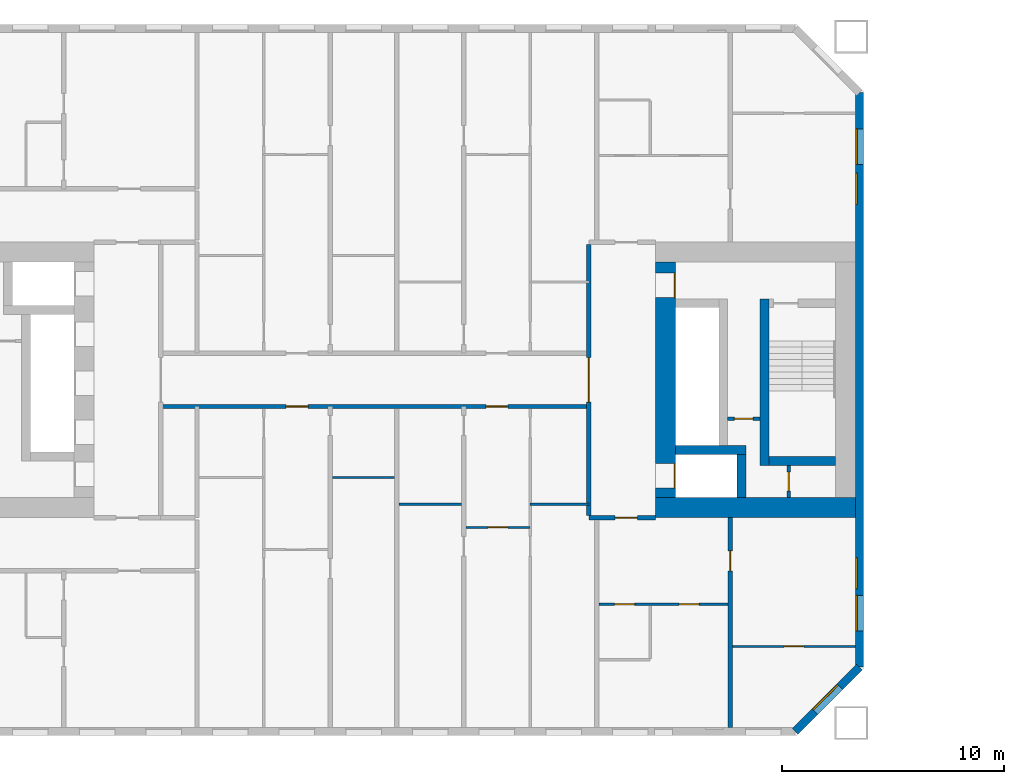
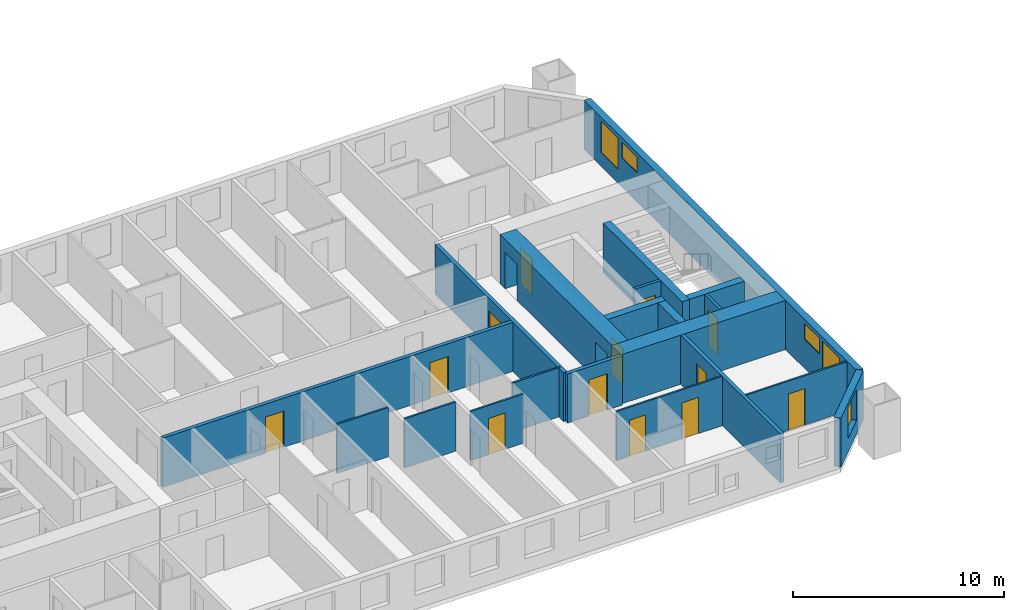
# One storey, part 7 of 17: 20 walls, 13 doors, 5 windows, 18 openings.
"""IFC4 building model written with IfcOpenShell, lengths in metres."""

from ifc_helpers import new_model, si_unit, direction, frame, frame_2d, origin, place, context, subcontext, project, spatial, rectangle, extrude, material, layer, layer_set, type_object, element, fill, save


model = new_model("IFC4")

# Units and contexts
model_context = context("Model", 3, precision=1e-05, world=origin(), true_north=direction((0.0, 1.0)))
body_context = subcontext(model_context, "Body", "Model", "MODEL_VIEW")
ifc_project = project(units=[si_unit("LENGTHUNIT", "METRE"), si_unit("AREAUNIT", "SQUARE_METRE"), si_unit("VOLUMEUNIT", "CUBIC_METRE"), si_unit("PLANEANGLEUNIT", "RADIAN"), si_unit("MASSUNIT", "GRAM", prefix="KILO")], contexts=[model_context])

# Site, building, storey
site_placement = place(None, origin())
site = spatial("IfcSite", under=ifc_project, at=site_placement, CompositionType="ELEMENT")
building_placement = place(site_placement, origin())
building = spatial("IfcBuilding", under=site, at=building_placement, Name="Tuart Gate Housing", CompositionType="ELEMENT")
storey_placement = place(building_placement, frame((0.0, 0.0, 22.60009765625)))
storey = spatial("IfcBuildingStorey", under=building, at=storey_placement, Name="L05", CompositionType="ELEMENT", Elevation=22.60009765625)

# Wall, opening, window
ifc_material_1 = material(Name="Brick", Category="masonry")
ifc_layer_1 = layer(ifc_material_1, 0.360107421875)
ifc_layer_set_1 = layer_set([ifc_layer_1], Name="Brick pier and spandrel wall 360")
wall_type_1 = type_object("IfcWallType", Name="Brick pier and spandrel wall 360", PredefinedType="STANDARD", material=ifc_layer_set_1)
wall_1_placement = place(storey_placement, frame((72.92529296875, 54.179931640625, 0.0), z_axis=(0.0, 0.0, 1.0), x_axis=(0.707106781187, 0.707106781187, 0.0)))
wall_1 = element("IfcWall", 1, at=wall_1_placement, inside=storey, type_object=wall_type_1, Name="External wall A-SE L05", PredefinedType="STANDARD", context=body_context, shape_type="SweptSolid", body=[
    extrude(rectangle(XDim=4.09375, YDim=0.360107421875, at=frame_2d((2.046875, 0.0))), origin(), (0.0, 0.0, 1.0), 2.849853515625),
])
opening_1_placement = place(wall_1_placement, frame((1.2470703125, 0.0, 0.800048828125)))
opening_1 = element("IfcOpeningElement", 2, at=opening_1_placement, cuts=wall_1, Name="Opening W1", PredefinedType="OPENING", context=body_context, shape_type="SweptSolid", body=[
    extrude(rectangle(XDim=1.60009765625, YDim=1.800048828125, at=frame_2d((0.800048828125, 0.89990234375))), frame((0.0, 0.18994140625, 0.0), z_axis=(0.0, -1.0, 0.0), x_axis=(1.0, 0.0, 0.0)), (0.0, 0.0, 1.0), 0.380126953125),
])
ifc_material_2 = material(Name="Aluminium frame with clear glass", Category="aluminium")
window_type_1 = type_object("IfcWindowType", Name="Punched window 1600 x 1800", PartitioningType="SINGLE_PANEL", PredefinedType="WINDOW", material=ifc_material_2)
window_1_placement = place(opening_1_placement, origin())
window_1 = element("IfcWindow", 3, at=window_1_placement, inside=storey, type_object=window_type_1, Name="Window W1", OverallHeight=1.800048828125, OverallWidth=1.60009765625, PartitioningType="SINGLE_PANEL", PredefinedType="WINDOW", context=body_context, shape_type="SweptSolid", body=[
    extrude(rectangle(XDim=1.60009765625, YDim=1.800048828125, at=frame_2d((0.800048828125, 0.89990234375))), frame((0.0, 0.150146484375, 0.0), z_axis=(0.0, -1.0, 0.0), x_axis=(1.0, 0.0, 0.0)), (0.0, 0.0, 1.0), 0.06005859375),
])
fill(opening_1, window_1)

# Wall, openings, windows
wall_2_placement = place(storey_placement, frame((75.820068359375, 57.07470703125, 0.0), z_axis=(0.0, 0.0, 1.0), x_axis=(0.0, 1.0, 0.0)))
wall_2 = element("IfcWall", 4, at=wall_2_placement, inside=storey, type_object=wall_type_1, Name="External wall A-E L05", PredefinedType="STANDARD", context=body_context, shape_type="SweptSolid", body=[
    extrude(rectangle(XDim=25.850830078125, YDim=0.360107421875, at=frame_2d((12.92529296875, 0.0))), origin(), (0.0, 0.0, 1.0), 2.849853515625),
])
opening_2_placement = place(wall_2_placement, frame((1.62548828125, 0.0, 0.800048828125)))
opening_2 = element("IfcOpeningElement", 5, at=opening_2_placement, cuts=wall_2, Name="Opening W1", PredefinedType="OPENING", context=body_context, shape_type="SweptSolid", body=[
    extrude(rectangle(XDim=1.60009765625, YDim=1.800048828125, at=frame_2d((0.800048828125, 0.89990234375))), frame((0.0, 0.18994140625, 0.0), z_axis=(0.0, -1.0, 0.0), x_axis=(1.0, 0.0, 0.0)), (0.0, 0.0, 1.0), 0.380126953125),
])
opening_3_placement = place(wall_2_placement, frame((3.525390625, 0.0, 1.699951171875)))
opening_3 = element("IfcOpeningElement", 6, at=opening_3_placement, cuts=wall_2, Name="Opening W1S", PredefinedType="OPENING", context=body_context, shape_type="SweptSolid", body=[
    extrude(rectangle(XDim=1.39990234375, YDim=0.89990234375, at=frame_2d((0.699951171875, 0.449951171875))), frame((0.0, 0.18994140625, 0.0), z_axis=(0.0, -1.0, 0.0), x_axis=(1.0, 0.0, 0.0)), (0.0, 0.0, 1.0), 0.380126953125),
])
opening_4_placement = place(wall_2_placement, frame((20.825439453125, 0.0, 1.699951171875)))
opening_4 = element("IfcOpeningElement", 7, at=opening_4_placement, cuts=wall_2, Name="Opening W1S", PredefinedType="OPENING", context=body_context, shape_type="SweptSolid", body=[
    extrude(rectangle(XDim=1.39990234375, YDim=0.89990234375, at=frame_2d((0.699951171875, 0.449951171875))), frame((0.0, 0.18994140625, 0.0), z_axis=(0.0, -1.0, 0.0), x_axis=(1.0, 0.0, 0.0)), (0.0, 0.0, 1.0), 0.380126953125),
])
opening_5_placement = place(wall_2_placement, frame((22.62548828125, 0.0, 0.800048828125)))
opening_5 = element("IfcOpeningElement", 8, at=opening_5_placement, cuts=wall_2, Name="Opening W1", PredefinedType="OPENING", context=body_context, shape_type="SweptSolid", body=[
    extrude(rectangle(XDim=1.60009765625, YDim=1.800048828125, at=frame_2d((0.800048828125, 0.89990234375))), frame((0.0, 0.18994140625, 0.0), z_axis=(0.0, -1.0, 0.0), x_axis=(1.0, 0.0, 0.0)), (0.0, 0.0, 1.0), 0.380126953125),
])
ifc_material_3 = material(Name="Aluminium frame with clear glass", Category="aluminium")
window_type_2 = type_object("IfcWindowType", Name="Punched window 1400 x 900", PartitioningType="SINGLE_PANEL", PredefinedType="WINDOW", material=ifc_material_3)
window_2_placement = place(opening_3_placement, origin())
window_2 = element("IfcWindow", 9, at=window_2_placement, inside=storey, type_object=window_type_2, Name="Window W1S", OverallHeight=0.89990234375, OverallWidth=1.39990234375, PartitioningType="SINGLE_PANEL", PredefinedType="WINDOW", context=body_context, shape_type="SweptSolid", body=[
    extrude(rectangle(XDim=1.39990234375, YDim=0.89990234375, at=frame_2d((0.699951171875, 0.449951171875))), frame((0.0, 0.150146484375, 0.0), z_axis=(0.0, -1.0, 0.0), x_axis=(1.0, 0.0, 0.0)), (0.0, 0.0, 1.0), 0.06005859375),
])
fill(opening_3, window_2)
window_3_placement = place(opening_4_placement, origin())
window_3 = element("IfcWindow", 10, at=window_3_placement, inside=storey, type_object=window_type_2, Name="Window W1S", OverallHeight=0.89990234375, OverallWidth=1.39990234375, PartitioningType="SINGLE_PANEL", PredefinedType="WINDOW", context=body_context, shape_type="SweptSolid", body=[
    extrude(rectangle(XDim=1.39990234375, YDim=0.89990234375, at=frame_2d((0.699951171875, 0.449951171875))), frame((0.0, 0.150146484375, 0.0), z_axis=(0.0, -1.0, 0.0), x_axis=(1.0, 0.0, 0.0)), (0.0, 0.0, 1.0), 0.06005859375),
])
fill(opening_4, window_3)
window_4_placement = place(opening_2_placement, origin())
window_4 = element("IfcWindow", 11, at=window_4_placement, inside=storey, type_object=window_type_1, Name="Window W1", OverallHeight=1.800048828125, OverallWidth=1.60009765625, PartitioningType="SINGLE_PANEL", PredefinedType="WINDOW", context=body_context, shape_type="SweptSolid", body=[
    extrude(rectangle(XDim=1.60009765625, YDim=1.800048828125, at=frame_2d((0.800048828125, 0.89990234375))), frame((0.0, 0.150146484375, 0.0), z_axis=(0.0, -1.0, 0.0), x_axis=(1.0, 0.0, 0.0)), (0.0, 0.0, 1.0), 0.06005859375),
])
fill(opening_2, window_4)
window_5_placement = place(opening_5_placement, origin())
window_5 = element("IfcWindow", 12, at=window_5_placement, inside=storey, type_object=window_type_1, Name="Window W1", OverallHeight=1.800048828125, OverallWidth=1.60009765625, PartitioningType="SINGLE_PANEL", PredefinedType="WINDOW", context=body_context, shape_type="SweptSolid", body=[
    extrude(rectangle(XDim=1.60009765625, YDim=1.800048828125, at=frame_2d((0.800048828125, 0.89990234375))), frame((0.0, 0.150146484375, 0.0), z_axis=(0.0, -1.0, 0.0), x_axis=(1.0, 0.0, 0.0)), (0.0, 0.0, 1.0), 0.06005859375),
])
fill(opening_5, window_5)

# Wall, opening, door
ifc_material_4 = material(Name="Plasterboard partition")
ifc_layer_2 = layer(ifc_material_4, 0.14990234375)
ifc_layer_set_2 = layer_set([ifc_layer_2], Name="Core partition 150")
wall_type_2 = type_object("IfcWallType", Name="Core partition 150", PredefinedType="PARTITIONING", material=ifc_layer_set_2)
wall_3_placement = place(storey_placement, frame((69.889892578125, 68.25, 0.0), z_axis=(0.0, 0.0, 1.0), x_axis=(1.0, 0.0, 0.0)))
wall_3 = element("IfcWall", 13, at=wall_3_placement, inside=storey, type_object=wall_type_2, Name="Core partition AG.3", PredefinedType="PARTITIONING", context=body_context, shape_type="SweptSolid", body=[
    extrude(rectangle(XDim=1.4501953125, YDim=0.14990234375, at=frame_2d((0.72509765625, 0.0))), origin(), (0.0, 0.0, 1.0), 2.849853515625),
])
opening_6_placement = place(wall_3_placement, frame((0.300048828125, 0.0, 0.0)))
opening_6 = element("IfcOpeningElement", 14, at=opening_6_placement, cuts=wall_3, Name="Opening D381", PredefinedType="OPENING", context=body_context, shape_type="SweptSolid", body=[
    extrude(rectangle(XDim=0.85009765625, YDim=2.10009765625, at=frame_2d((0.425048828125, 1.050048828125))), frame((0.0, 0.0849609375, 0.0), z_axis=(0.0, -1.0, 0.0), x_axis=(1.0, 0.0, 0.0)), (0.0, 0.0, 1.0), 0.169921875),
])
ifc_material_5 = material(Name="Steel fire door", Category="steel")
door_type_1 = type_object("IfcDoorType", Name="Riser door 850 x 2100 RH", OperationType="SINGLE_SWING_RIGHT", PredefinedType="DOOR", material=ifc_material_5)
door_1_placement = place(opening_6_placement, frame((0.85009765625, 0.0, 0.0), z_axis=(0.0, 0.0, 1.0), x_axis=(-1.0, 0.0, 0.0)))
door_1 = element("IfcDoor", 15, at=door_1_placement, inside=storey, type_object=door_type_1, Name="Service room door AG.E1", OperationType="SINGLE_SWING_RIGHT", OverallHeight=2.10009765625, OverallWidth=0.85009765625, PredefinedType="DOOR", context=body_context, shape_type="SweptSolid", body=[
    extrude(rectangle(XDim=0.85009765625, YDim=2.10009765625, at=frame_2d((0.425048828125, 1.050048828125))), frame((0.0, 0.025146484375, 0.0), z_axis=(0.0, -1.0, 0.0), x_axis=(1.0, 0.0, 0.0)), (0.0, 0.0, 1.0), 0.050048828125),
])
fill(opening_6, door_1)

wall_4_placement = place(storey_placement, frame((72.639892578125, 64.699951171875, 0.0), z_axis=(0.0, 0.0, 1.0), x_axis=(0.0, 1.0, 0.0)))
wall_4 = element("IfcWall", 16, at=wall_4_placement, inside=storey, type_object=wall_type_2, Name="Core partition AG.9", PredefinedType="PARTITIONING", context=body_context, shape_type="SweptSolid", body=[
    extrude(rectangle(XDim=1.449951171875, YDim=0.14990234375, at=frame_2d((0.72509765625, 0.0))), origin(), (0.0, 0.0, 1.0), 2.849853515625),
])
opening_7_placement = place(wall_4_placement, frame((0.300048828125, 0.0, 0.0)))
opening_7 = element("IfcOpeningElement", 17, at=opening_7_placement, cuts=wall_4, Name="Opening D383", PredefinedType="OPENING", context=body_context, shape_type="SweptSolid", body=[
    extrude(rectangle(XDim=0.85009765625, YDim=2.10009765625, at=frame_2d((0.425048828125, 1.050048828125))), frame((0.0, 0.0849609375, 0.0), z_axis=(0.0, -1.0, 0.0), x_axis=(1.0, 0.0, 0.0)), (0.0, 0.0, 1.0), 0.169921875),
])
ifc_material_6 = material(Name="Steel fire door", Category="steel")
door_type_2 = type_object("IfcDoorType", Name="Service door 850 x 2100", OperationType="SINGLE_SWING_LEFT", PredefinedType="DOOR", material=ifc_material_6)
door_2_placement = place(opening_7_placement, origin())
door_2 = element("IfcDoor", 18, at=door_2_placement, inside=storey, type_object=door_type_2, Name="Service room door AG.E2", OperationType="SINGLE_SWING_LEFT", OverallHeight=2.10009765625, OverallWidth=0.85009765625, PredefinedType="DOOR", context=body_context, shape_type="SweptSolid", body=[
    extrude(rectangle(XDim=0.85009765625, YDim=2.10009765625, at=frame_2d((0.425048828125, 1.050048828125))), frame((0.0, 0.02490234375, 0.0), z_axis=(0.0, -1.0, 0.0), x_axis=(1.0, 0.0, 0.0)), (0.0, 0.0, 1.0), 0.050048828125),
])
fill(opening_7, door_2)

# Walls
ifc_material_7 = material(Name="Concrete C60", Category="concrete")
ifc_layer_3 = layer(ifc_material_7, 0.39990234375)
ifc_layer_set_3 = layer_set([ifc_layer_3], Name="Core wall 400 C60")
wall_type_3 = type_object("IfcWallType", Name="Core wall 400 C60", PredefinedType="SHEAR", material=ifc_layer_set_3)
wall_5_placement = place(storey_placement, frame((71.739990234375, 66.35009765625, 0.0), z_axis=(0.0, 0.0, 1.0), x_axis=(1.0, 0.0, 0.0)))
element("IfcWall", 19, at=wall_5_placement, inside=storey, type_object=wall_type_3, Name="Core wall AG.1", PredefinedType="SHEAR", context=body_context, shape_type="SweptSolid", body=[
    extrude(rectangle(XDim=3.0, YDim=0.39990234375, at=frame_2d((1.5, 0.0))), origin(), (0.0, 0.0, 1.0), 2.849853515625),
])
wall_6_placement = place(storey_placement, frame((67.5400390625, 66.85009765625, 0.0), z_axis=(0.0, 0.0, 1.0), x_axis=(1.0, 0.0, 0.0)))
element("IfcWall", 20, at=wall_6_placement, inside=storey, type_object=wall_type_3, Name="Core wall AG.2", PredefinedType="SHEAR", context=body_context, shape_type="SweptSolid", body=[
    extrude(rectangle(XDim=3.169921875, YDim=0.39990234375, at=frame_2d((1.5849609375, 0.0))), origin(), (0.0, 0.0, 1.0), 2.849853515625),
])
wall_7_placement = place(storey_placement, frame((70.510009765625, 64.699951171875, 0.0), z_axis=(0.0, 0.0, 1.0), x_axis=(0.0, 1.0, 0.0)))
element("IfcWall", 21, at=wall_7_placement, inside=storey, type_object=wall_type_3, Name="Core wall AG.7", PredefinedType="SHEAR", context=body_context, shape_type="SweptSolid", body=[
    extrude(rectangle(XDim=1.949951171875, YDim=0.39990234375, at=frame_2d((0.97509765625, 0.0))), origin(), (0.0, 0.0, 1.0), 2.849853515625),
])
wall_8_placement = place(storey_placement, frame((71.5400390625, 66.14990234375, 0.0), z_axis=(0.0, 0.0, 1.0), x_axis=(0.0, 1.0, 0.0)))
element("IfcWall", 22, at=wall_8_placement, inside=storey, type_object=wall_type_3, Name="Core wall AG.8", PredefinedType="SHEAR", context=body_context, shape_type="SweptSolid", body=[
    extrude(rectangle(XDim=7.5, YDim=0.39990234375, at=frame_2d((3.75, 0.0))), origin(), (0.0, 0.0, 1.0), 2.849853515625),
])

# Wall, openings, doors
ifc_material_8 = material(Name="Concrete C60", Category="concrete")
ifc_layer_4 = layer(ifc_material_8, 0.89990234375)
ifc_layer_set_4 = layer_set([ifc_layer_4], Name="Core wall 900 C60")
wall_type_4 = type_object("IfcWallType", Name="Core wall 900 C60", PredefinedType="SHEAR", material=ifc_layer_set_4)
wall_9_placement = place(storey_placement, frame((67.090087890625, 64.699951171875, 0.0), z_axis=(0.0, 0.0, 1.0), x_axis=(0.0, 1.0, 0.0)))
wall_9 = element("IfcWall", 23, at=wall_9_placement, inside=storey, type_object=wall_type_4, Name="Core wall AG front", PredefinedType="SHEAR", context=body_context, shape_type="SweptSolid", body=[
    extrude(rectangle(XDim=10.60009765625, YDim=0.89990234375, at=frame_2d((5.300048828125, 0.0))), origin(), (0.0, 0.0, 1.0), 2.849853515625),
])
opening_8_placement = place(wall_9_placement, frame((0.425048828125, 0.0, 0.0)))
opening_8 = element("IfcOpeningElement", 24, at=opening_8_placement, cuts=wall_9, Name="Opening LD-FA1", PredefinedType="OPENING", context=body_context, shape_type="SweptSolid", body=[
    extrude(rectangle(XDim=1.10009765625, YDim=2.10009765625, at=frame_2d((0.550048828125, 1.050048828125))), frame((0.0, 0.4599609375, 0.0), z_axis=(0.0, -1.0, 0.0), x_axis=(1.0, 0.0, 0.0)), (0.0, 0.0, 1.0), 0.919921875),
])
opening_9_placement = place(wall_9_placement, frame((9.0, 0.0, 0.0)))
opening_9 = element("IfcOpeningElement", 25, at=opening_9_placement, cuts=wall_9, Name="Opening D378", PredefinedType="OPENING", context=body_context, shape_type="SweptSolid", body=[
    extrude(rectangle(XDim=1.10009765625, YDim=2.10009765625, at=frame_2d((0.550048828125, 1.050048828125))), frame((0.0, 0.4599609375, 0.0), z_axis=(0.0, -1.0, 0.0), x_axis=(1.0, 0.0, 0.0)), (0.0, 0.0, 1.0), 0.919921875),
])
ifc_material_9 = material(Name="Stainless steel", Category="steel")
door_type_3 = type_object("IfcDoorType", Name="Landing door 1100 x 2100", OperationType="DOUBLE_DOOR_SLIDING", PredefinedType="DOOR", material=ifc_material_9)
door_3_placement = place(opening_8_placement, origin())
door_3 = element("IfcDoor", 26, at=door_3_placement, inside=storey, type_object=door_type_3, Name="Lift landing door FA1", OperationType="DOUBLE_DOOR_SLIDING", OverallHeight=2.10009765625, OverallWidth=1.10009765625, PredefinedType="DOOR", context=body_context, shape_type="SweptSolid", body=[
    extrude(rectangle(XDim=1.10009765625, YDim=2.10009765625, at=frame_2d((0.550048828125, 1.050048828125))), frame((0.0, -0.384765625, 0.0), z_axis=(0.0, -1.0, 0.0), x_axis=(1.0, 0.0, 0.0)), (0.0, 0.0, 1.0), 0.050048828125),
])
fill(opening_8, door_3)
ifc_material_10 = material(Name="Steel fire door", Category="steel")
door_type_4 = type_object("IfcDoorType", Name="Lobby door 1100 x 2100 RH", OperationType="SINGLE_SWING_RIGHT", PredefinedType="DOOR", material=ifc_material_10)
door_4_placement = place(opening_9_placement, frame((1.10009765625, 0.0, 0.0), z_axis=(0.0, 0.0, 1.0), x_axis=(-1.0, 0.0, 0.0)))
door_4 = element("IfcDoor", 27, at=door_4_placement, inside=storey, type_object=door_type_4, Name="Lobby entry door AG.EN", OperationType="SINGLE_SWING_RIGHT", OverallHeight=2.10009765625, OverallWidth=1.10009765625, PredefinedType="DOOR", context=body_context, shape_type="SweptSolid", body=[
    extrude(rectangle(XDim=1.10009765625, YDim=2.10009765625, at=frame_2d((0.550048828125, 1.050048828125))), frame((0.0, 0.434814453125, 0.0), z_axis=(0.0, -1.0, 0.0), x_axis=(1.0, 0.0, 0.0)), (0.0, 0.0, 1.0), 0.050048828125),
])
fill(opening_9, door_4)

# Wall
wall_10_placement = place(storey_placement, frame((66.639892578125, 64.25, 0.0), z_axis=(0.0, 0.0, 1.0), x_axis=(1.0, 0.0, 0.0)))
element("IfcWall", 28, at=wall_10_placement, inside=storey, type_object=wall_type_4, Name="Core wall AG south", PredefinedType="SHEAR", context=body_context, shape_type="SweptSolid", body=[
    extrude(rectangle(XDim=9.0, YDim=0.89990234375, at=frame_2d((4.5, 0.0))), origin(), (0.0, 0.0, 1.0), 2.849853515625),
])

# Wall, openings, doors
ifc_material_11 = material(Name="Concrete masonry 15 MPa", Category="masonry")
ifc_layer_5 = layer(ifc_material_11, 0.199951171875)
ifc_layer_set_5 = layer_set([ifc_layer_5], Name="Corridor wall masonry 200")
wall_type_5 = type_object("IfcWallType", Name="Corridor wall masonry 200", PredefinedType="PARTITIONING", material=ifc_layer_set_5)
wall_11_placement = place(storey_placement, frame((44.360107421875, 68.800048828125, 0.0), z_axis=(0.0, 0.0, 1.0), x_axis=(1.0, 0.0, 0.0)))
wall_11 = element("IfcWall", 29, at=wall_11_placement, inside=storey, type_object=wall_type_5, Name="Corridor wall masonry 200", PredefinedType="PARTITIONING", context=body_context, shape_type="SweptSolid", body=[
    extrude(rectangle(XDim=19.27978515625, YDim=0.199951171875, at=frame_2d((9.639892578125, 0.0))), origin(), (0.0, 0.0, 1.0), 2.849853515625),
])
opening_10_placement = place(wall_11_placement, frame((14.639892578125, 0.0, 0.0)))
opening_10 = element("IfcOpeningElement", 30, at=opening_10_placement, cuts=wall_11, Name="Opening D379", PredefinedType="OPENING", context=body_context, shape_type="SweptSolid", body=[
    extrude(rectangle(XDim=1.0, YDim=2.10009765625, at=frame_2d((0.5, 1.050048828125))), frame((0.0, 0.10986328125, 0.0), z_axis=(0.0, -1.0, 0.0), x_axis=(1.0, 0.0, 0.0)), (0.0, 0.0, 1.0), 0.219970703125),
])
opening_11_placement = place(wall_11_placement, frame((5.639892578125, 0.0, 0.0)))
opening_11 = element("IfcOpeningElement", 31, at=opening_11_placement, cuts=wall_11, Name="Opening D380", PredefinedType="OPENING", context=body_context, shape_type="SweptSolid", body=[
    extrude(rectangle(XDim=1.0, YDim=2.10009765625, at=frame_2d((0.5, 1.050048828125))), frame((0.0, 0.10986328125, 0.0), z_axis=(0.0, -1.0, 0.0), x_axis=(1.0, 0.0, 0.0)), (0.0, 0.0, 1.0), 0.219970703125),
])
ifc_material_12 = material(Name="Timber door leaf in steel frame", Category="steel")
door_type_5 = type_object("IfcDoorType", Name="Flat entrance door 1000 RH", OperationType="SINGLE_SWING_RIGHT", PredefinedType="DOOR", material=ifc_material_12)
door_5_placement = place(opening_10_placement, frame((1.0, 0.0, 0.0), z_axis=(0.0, 0.0, 1.0), x_axis=(-1.0, 0.0, 0.0)))
door_5 = element("IfcDoor", 32, at=door_5_placement, inside=storey, type_object=door_type_5, Name="Flat entrance door", OperationType="SINGLE_SWING_RIGHT", OverallHeight=2.10009765625, OverallWidth=1.0, PredefinedType="DOOR", context=body_context, shape_type="SweptSolid", body=[
    extrude(rectangle(XDim=1.0, YDim=2.10009765625, at=frame_2d((0.5, 1.050048828125))), frame((0.0, 0.025146484375, 0.0), z_axis=(0.0, -1.0, 0.0), x_axis=(1.0, 0.0, 0.0)), (0.0, 0.0, 1.0), 0.050048828125),
])
fill(opening_10, door_5)
door_6_placement = place(opening_11_placement, frame((1.0, 0.0, 0.0), z_axis=(0.0, 0.0, 1.0), x_axis=(-1.0, 0.0, 0.0)))
door_6 = element("IfcDoor", 33, at=door_6_placement, inside=storey, type_object=door_type_5, Name="Flat entrance door", OperationType="SINGLE_SWING_RIGHT", OverallHeight=2.10009765625, OverallWidth=1.0, PredefinedType="DOOR", context=body_context, shape_type="SweptSolid", body=[
    extrude(rectangle(XDim=1.0, YDim=2.10009765625, at=frame_2d((0.5, 1.050048828125))), frame((0.0, 0.025146484375, 0.0), z_axis=(0.0, -1.0, 0.0), x_axis=(1.0, 0.0, 0.0)), (0.0, 0.0, 1.0), 0.050048828125),
])
fill(opening_11, door_6)

# Wall, opening, door
ifc_material_13 = material(Name="Concrete masonry 15 MPa", Category="masonry")
ifc_layer_6 = layer(ifc_material_13, 0.199951171875)
ifc_layer_set_6 = layer_set([ifc_layer_6], Name="Enclosure wall masonry 200")
wall_type_6 = type_object("IfcWallType", Name="Enclosure wall masonry 200", PredefinedType="PARTITIONING", material=ifc_layer_set_6)
wall_12_placement = place(storey_placement, frame((63.639892578125, 63.800048828125, 0.0), z_axis=(0.0, 0.0, 1.0), x_axis=(1.0, 0.0, 0.0)))
wall_12 = element("IfcWall", 34, at=wall_12_placement, inside=storey, type_object=wall_type_6, Name="Enclosure wall masonry 200", PredefinedType="PARTITIONING", context=body_context, shape_type="SweptSolid", body=[
    extrude(rectangle(XDim=3.0, YDim=0.199951171875, at=frame_2d((1.5, 0.0))), origin(), (0.0, 0.0, 1.0), 2.849853515625),
])
opening_12_placement = place(wall_12_placement, frame((1.179931640625, 0.0, 0.0)))
opening_12 = element("IfcOpeningElement", 35, at=opening_12_placement, cuts=wall_12, Name="Opening D386", PredefinedType="OPENING", context=body_context, shape_type="SweptSolid", body=[
    extrude(rectangle(XDim=1.0, YDim=2.10009765625, at=frame_2d((0.5, 1.050048828125))), frame((0.0, 0.10986328125, 0.0), z_axis=(0.0, -1.0, 0.0), x_axis=(1.0, 0.0, 0.0)), (0.0, 0.0, 1.0), 0.219970703125),
])
door_7_placement = place(opening_12_placement, frame((1.0, 0.0, 0.0), z_axis=(0.0, 0.0, 1.0), x_axis=(-1.0, 0.0, 0.0)))
door_7 = element("IfcDoor", 36, at=door_7_placement, inside=storey, type_object=door_type_5, Name="Flat entrance door", OperationType="SINGLE_SWING_RIGHT", OverallHeight=2.10009765625, OverallWidth=1.0, PredefinedType="DOOR", context=body_context, shape_type="SweptSolid", body=[
    extrude(rectangle(XDim=1.0, YDim=2.10009765625, at=frame_2d((0.5, 1.050048828125))), frame((0.0, 0.025146484375, 0.0), z_axis=(0.0, -1.0, 0.0), x_axis=(1.0, 0.0, 0.0)), (0.0, 0.0, 1.0), 0.050048828125),
])
fill(opening_12, door_7)

ifc_material_14 = material(Name="Plasterboard partition")
ifc_layer_7 = layer(ifc_material_14, 0.199951171875)
ifc_layer_set_7 = layer_set([ifc_layer_7], Name="Lobby wall 200")
wall_type_7 = type_object("IfcWallType", Name="Lobby wall 200", PredefinedType="PARTITIONING", material=ifc_layer_set_7)
wall_13_placement = place(storey_placement, frame((63.639892578125, 63.89990234375, 0.0), z_axis=(0.0, 0.0, 1.0), x_axis=(0.0, 1.0, 0.0)))
wall_13 = element("IfcWall", 37, at=wall_13_placement, inside=storey, type_object=wall_type_7, Name="Lift lobby wall AG", PredefinedType="PARTITIONING", context=body_context, shape_type="SweptSolid", body=[
    extrude(rectangle(XDim=12.2001953125, YDim=0.199951171875, at=frame_2d((6.10009765625, 0.0))), origin(), (0.0, 0.0, 1.0), 2.849853515625),
])
opening_13_placement = place(wall_13_placement, frame((5.10009765625, 0.0, 0.0)))
opening_13 = element("IfcOpeningElement", 38, at=opening_13_placement, cuts=wall_13, Name="Opening D377", PredefinedType="OPENING", context=body_context, shape_type="SweptSolid", body=[
    extrude(rectangle(XDim=2.0, YDim=2.10009765625, at=frame_2d((1.0, 1.050048828125))), frame((0.0, 0.10986328125, 0.0), z_axis=(0.0, -1.0, 0.0), x_axis=(1.0, 0.0, 0.0)), (0.0, 0.0, 1.0), 0.219970703125),
])
ifc_material_15 = material(Name="Steel fire door", Category="steel")
door_type_6 = type_object("IfcDoorType", Name="Smoke door 2000 x 2100", OperationType="DOUBLE_DOOR_SINGLE_SWING", PredefinedType="DOOR", material=ifc_material_15)
door_8_placement = place(opening_13_placement, frame((2.0, 0.0, 0.0), z_axis=(0.0, 0.0, 1.0), x_axis=(-1.0, 0.0, 0.0)))
door_8 = element("IfcDoor", 39, at=door_8_placement, inside=storey, type_object=door_type_6, Name="Lift lobby smoke door AG", OperationType="DOUBLE_DOOR_SINGLE_SWING", OverallHeight=2.10009765625, OverallWidth=2.0, PredefinedType="DOOR", context=body_context, shape_type="SweptSolid", body=[
    extrude(rectangle(XDim=2.0, YDim=2.10009765625, at=frame_2d((1.0, 1.050048828125))), frame((0.0, 0.025146484375, 0.0), z_axis=(0.0, -1.0, 0.0), x_axis=(1.0, 0.0, 0.0)), (0.0, 0.0, 1.0), 0.050048828125),
])
fill(opening_13, door_8)

ifc_material_16 = material(Name="Gypsum board on steel studs", Category="steel")
ifc_layer_8 = layer(ifc_material_16, 0.10009765625)
ifc_layer_set_8 = layer_set([ifc_layer_8], Name="Partition 100")
wall_type_8 = type_object("IfcWallType", Name="Partition 100", PredefinedType="PARTITIONING", material=ifc_layer_set_8)
wall_14_placement = place(storey_placement, frame((70.10009765625, 58.0, 0.0), z_axis=(0.0, 0.0, 1.0), x_axis=(1.0, 0.0, 0.0)))
wall_14 = element("IfcWall", 40, at=wall_14_placement, inside=storey, type_object=wall_type_8, Name="Partition 100", PredefinedType="PARTITIONING", context=body_context, shape_type="SweptSolid", body=[
    extrude(rectangle(XDim=5.539794921875, YDim=0.10009765625, at=frame_2d((2.77001953125, 0.0))), origin(), (0.0, 0.0, 1.0), 2.849853515625),
])
opening_14_placement = place(wall_14_placement, frame((2.320068359375, 0.0, 0.0)))
opening_14 = element("IfcOpeningElement", 41, at=opening_14_placement, cuts=wall_14, Name="Opening D404", PredefinedType="OPENING", context=body_context, shape_type="SweptSolid", body=[
    extrude(rectangle(XDim=0.89990234375, YDim=2.10009765625, at=frame_2d((0.449951171875, 1.050048828125))), frame((0.0, 0.06005859375, 0.0), z_axis=(0.0, -1.0, 0.0), x_axis=(1.0, 0.0, 0.0)), (0.0, 0.0, 1.0), 0.1201171875),
])
ifc_material_17 = material(Name="Timber door leaf in steel frame", Category="steel")
door_type_7 = type_object("IfcDoorType", Name="Internal door 900", OperationType="SINGLE_SWING_LEFT", PredefinedType="DOOR", material=ifc_material_17)
door_9_placement = place(opening_14_placement, frame((0.89990234375, 0.0, 0.0), z_axis=(0.0, 0.0, 1.0), x_axis=(-1.0, 0.0, 0.0)))
door_9 = element("IfcDoor", 42, at=door_9_placement, inside=storey, type_object=door_type_7, Name="Internal door", OperationType="SINGLE_SWING_LEFT", OverallHeight=2.10009765625, OverallWidth=0.89990234375, PredefinedType="DOOR", context=body_context, shape_type="SweptSolid", body=[
    extrude(rectangle(XDim=0.89990234375, YDim=2.10009765625, at=frame_2d((0.449951171875, 1.050048828125))), frame((0.0, 0.025146484375, 0.0), z_axis=(0.0, -1.0, 0.0), x_axis=(1.0, 0.0, 0.0)), (0.0, 0.0, 1.0), 0.050048828125),
])
fill(opening_14, door_9)

# Wall, openings, doors
wall_15_placement = place(storey_placement, frame((64.10009765625, 59.89990234375, 0.0), z_axis=(0.0, 0.0, 1.0), x_axis=(1.0, 0.0, 0.0)))
wall_15 = element("IfcWall", 43, at=wall_15_placement, inside=storey, type_object=wall_type_8, Name="Partition 100", PredefinedType="PARTITIONING", context=body_context, shape_type="SweptSolid", body=[
    extrude(rectangle(XDim=5.7998046875, YDim=0.10009765625, at=frame_2d((2.89990234375, 0.0))), origin(), (0.0, 0.0, 1.0), 2.849853515625),
])
opening_15_placement = place(wall_15_placement, frame((3.60009765625, 0.0, 0.0)))
opening_15 = element("IfcOpeningElement", 44, at=opening_15_placement, cuts=wall_15, Name="Opening D401", PredefinedType="OPENING", context=body_context, shape_type="SweptSolid", body=[
    extrude(rectangle(XDim=0.89990234375, YDim=2.10009765625, at=frame_2d((0.449951171875, 1.050048828125))), frame((0.0, 0.06005859375, 0.0), z_axis=(0.0, -1.0, 0.0), x_axis=(1.0, 0.0, 0.0)), (0.0, 0.0, 1.0), 0.1201171875),
])
opening_16_placement = place(wall_15_placement, frame((0.699951171875, 0.0, 0.0)))
opening_16 = element("IfcOpeningElement", 45, at=opening_16_placement, cuts=wall_15, Name="Opening D400", PredefinedType="OPENING", context=body_context, shape_type="SweptSolid", body=[
    extrude(rectangle(XDim=0.89990234375, YDim=2.10009765625, at=frame_2d((0.449951171875, 1.050048828125))), frame((0.0, 0.06005859375, 0.0), z_axis=(0.0, -1.0, 0.0), x_axis=(1.0, 0.0, 0.0)), (0.0, 0.0, 1.0), 0.1201171875),
])
ifc_material_18 = material(Name="Timber door leaf in steel frame", Category="steel")
door_type_8 = type_object("IfcDoorType", Name="Bathroom door 900", OperationType="SINGLE_SWING_LEFT", PredefinedType="DOOR", material=ifc_material_18)
door_10_placement = place(opening_16_placement, frame((0.89990234375, 0.0, 0.0), z_axis=(0.0, 0.0, 1.0), x_axis=(-1.0, 0.0, 0.0)))
door_10 = element("IfcDoor", 46, at=door_10_placement, inside=storey, type_object=door_type_8, Name="Bathroom door", OperationType="SINGLE_SWING_LEFT", OverallHeight=2.10009765625, OverallWidth=0.89990234375, PredefinedType="DOOR", context=body_context, shape_type="SweptSolid", body=[
    extrude(rectangle(XDim=0.89990234375, YDim=2.10009765625, at=frame_2d((0.449951171875, 1.050048828125))), frame((0.0, 0.025146484375, 0.0), z_axis=(0.0, -1.0, 0.0), x_axis=(1.0, 0.0, 0.0)), (0.0, 0.0, 1.0), 0.050048828125),
])
fill(opening_16, door_10)
ifc_material_19 = material(Name="Timber door leaf in steel frame", Category="steel")
door_type_9 = type_object("IfcDoorType", Name="Internal door 900 RH", OperationType="SINGLE_SWING_RIGHT", PredefinedType="DOOR", material=ifc_material_19)
door_11_placement = place(opening_15_placement, frame((0.89990234375, 0.0, 0.0), z_axis=(0.0, 0.0, 1.0), x_axis=(-1.0, 0.0, 0.0)))
door_11 = element("IfcDoor", 47, at=door_11_placement, inside=storey, type_object=door_type_9, Name="Internal door", OperationType="SINGLE_SWING_RIGHT", OverallHeight=2.10009765625, OverallWidth=0.89990234375, PredefinedType="DOOR", context=body_context, shape_type="SweptSolid", body=[
    extrude(rectangle(XDim=0.89990234375, YDim=2.10009765625, at=frame_2d((0.449951171875, 1.050048828125))), frame((0.0, 0.025146484375, 0.0), z_axis=(0.0, -1.0, 0.0), x_axis=(1.0, 0.0, 0.0)), (0.0, 0.0, 1.0), 0.050048828125),
])
fill(opening_15, door_11)

# Wall, opening, door
wall_16_placement = place(storey_placement, frame((58.10009765625, 63.360107421875, 0.0), z_axis=(0.0, 0.0, 1.0), x_axis=(1.0, 0.0, 0.0)))
wall_16 = element("IfcWall", 48, at=wall_16_placement, inside=storey, type_object=wall_type_8, Name="Partition 100", PredefinedType="PARTITIONING", context=body_context, shape_type="SweptSolid", body=[
    extrude(rectangle(XDim=2.89990234375, YDim=0.10009765625, at=frame_2d((1.449951171875, 0.0))), origin(), (0.0, 0.0, 1.0), 2.849853515625),
])
opening_17_placement = place(wall_16_placement, frame((1.0, 0.0, 0.0)))
opening_17 = element("IfcOpeningElement", 49, at=opening_17_placement, cuts=wall_16, Name="Opening D387", PredefinedType="OPENING", context=body_context, shape_type="SweptSolid", body=[
    extrude(rectangle(XDim=0.89990234375, YDim=2.10009765625, at=frame_2d((0.449951171875, 1.050048828125))), frame((0.0, 0.06005859375, 0.0), z_axis=(0.0, -1.0, 0.0), x_axis=(1.0, 0.0, 0.0)), (0.0, 0.0, 1.0), 0.1201171875),
])
door_12_placement = place(opening_17_placement, origin())
door_12 = element("IfcDoor", 50, at=door_12_placement, inside=storey, type_object=door_type_9, Name="Internal door", OperationType="SINGLE_SWING_RIGHT", OverallHeight=2.10009765625, OverallWidth=0.89990234375, PredefinedType="DOOR", context=body_context, shape_type="SweptSolid", body=[
    extrude(rectangle(XDim=0.89990234375, YDim=2.10009765625, at=frame_2d((0.449951171875, 1.050048828125))), frame((0.0, 0.02490234375, 0.0), z_axis=(0.0, -1.0, 0.0), x_axis=(1.0, 0.0, 0.0)), (0.0, 0.0, 1.0), 0.050048828125),
])
fill(opening_17, door_12)

# Walls
wall_17_placement = place(storey_placement, frame((55.10009765625, 64.39990234375, 0.0), z_axis=(0.0, 0.0, 1.0), x_axis=(1.0, 0.0, 0.0)))
element("IfcWall", 51, at=wall_17_placement, inside=storey, type_object=wall_type_8, Name="Partition 100", PredefinedType="PARTITIONING", context=body_context, shape_type="SweptSolid", body=[
    extrude(rectangle(XDim=2.7998046875, YDim=0.10009765625, at=frame_2d((1.39990234375, 0.0))), origin(), (0.0, 0.0, 1.0), 2.849853515625),
])
wall_18_placement = place(storey_placement, frame((61.0, 64.39990234375, 0.0), z_axis=(0.0, 0.0, 1.0), x_axis=(1.0, 0.0, 0.0)))
element("IfcWall", 52, at=wall_18_placement, inside=storey, type_object=wall_type_8, Name="Partition 100", PredefinedType="PARTITIONING", context=body_context, shape_type="SweptSolid", body=[
    extrude(rectangle(XDim=2.639892578125, YDim=0.10009765625, at=frame_2d((1.31982421875, 0.0))), origin(), (0.0, 0.0, 1.0), 2.849853515625),
])
wall_19_placement = place(storey_placement, frame((52.10009765625, 65.60009765625, 0.0), z_axis=(0.0, 0.0, 1.0), x_axis=(1.0, 0.0, 0.0)))
element("IfcWall", 53, at=wall_19_placement, inside=storey, type_object=wall_type_8, Name="Partition 100", PredefinedType="PARTITIONING", context=body_context, shape_type="SweptSolid", body=[
    extrude(rectangle(XDim=2.7998046875, YDim=0.10009765625, at=frame_2d((1.39990234375, 0.0))), origin(), (0.0, 0.0, 1.0), 2.849853515625),
])

# Wall, opening, door
ifc_material_20 = material(Name="Concrete C40", Category="concrete")
ifc_layer_9 = layer(ifc_material_20, 0.199951171875)
ifc_layer_set_9 = layer_set([ifc_layer_9], Name="Party wall concrete C40 200")
wall_type_9 = type_object("IfcWallType", Name="Party wall concrete C40 200", PredefinedType="SOLIDWALL", material=ifc_layer_set_9)
wall_20_placement = place(storey_placement, frame((70.0, 54.360107421875, 0.0), z_axis=(0.0, 0.0, 1.0), x_axis=(0.0, 1.0, 0.0)))
wall_20 = element("IfcWall", 54, at=wall_20_placement, inside=storey, type_object=wall_type_9, Name="Party wall concrete C40 200", PredefinedType="SOLIDWALL", context=body_context, shape_type="SweptSolid", body=[
    extrude(rectangle(XDim=9.43994140625, YDim=0.199951171875, at=frame_2d((4.719970703125, 0.0))), origin(), (0.0, 0.0, 1.0), 2.849853515625),
])
opening_18_placement = place(wall_20_placement, frame((7.0400390625, 0.0, 0.0)))
opening_18 = element("IfcOpeningElement", 55, at=opening_18_placement, cuts=wall_20, Name="Opening D403", PredefinedType="OPENING", context=body_context, shape_type="SweptSolid", body=[
    extrude(rectangle(XDim=0.89990234375, YDim=2.10009765625, at=frame_2d((0.449951171875, 1.050048828125))), frame((0.0, 0.10986328125, 0.0), z_axis=(0.0, -1.0, 0.0), x_axis=(1.0, 0.0, 0.0)), (0.0, 0.0, 1.0), 0.219970703125),
])
door_13_placement = place(opening_18_placement, origin())
door_13 = element("IfcDoor", 56, at=door_13_placement, inside=storey, type_object=door_type_7, Name="Internal door", OperationType="SINGLE_SWING_LEFT", OverallHeight=2.10009765625, OverallWidth=0.89990234375, PredefinedType="DOOR", context=body_context, shape_type="SweptSolid", body=[
    extrude(rectangle(XDim=0.89990234375, YDim=2.10009765625, at=frame_2d((0.449951171875, 1.050048828125))), frame((0.0, 0.02490234375, 0.0), z_axis=(0.0, -1.0, 0.0), x_axis=(1.0, 0.0, 0.0)), (0.0, 0.0, 1.0), 0.050048828125),
])
fill(opening_18, door_13)

save(model, "model.ifc")
